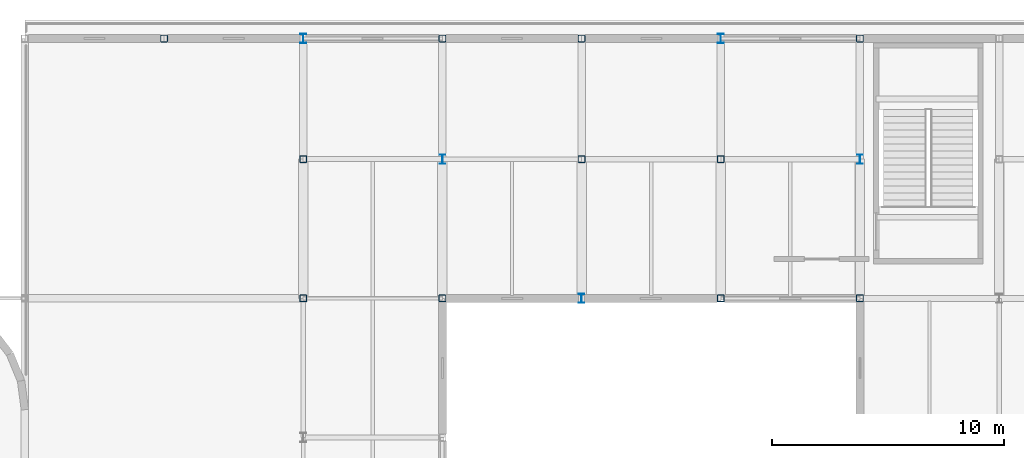
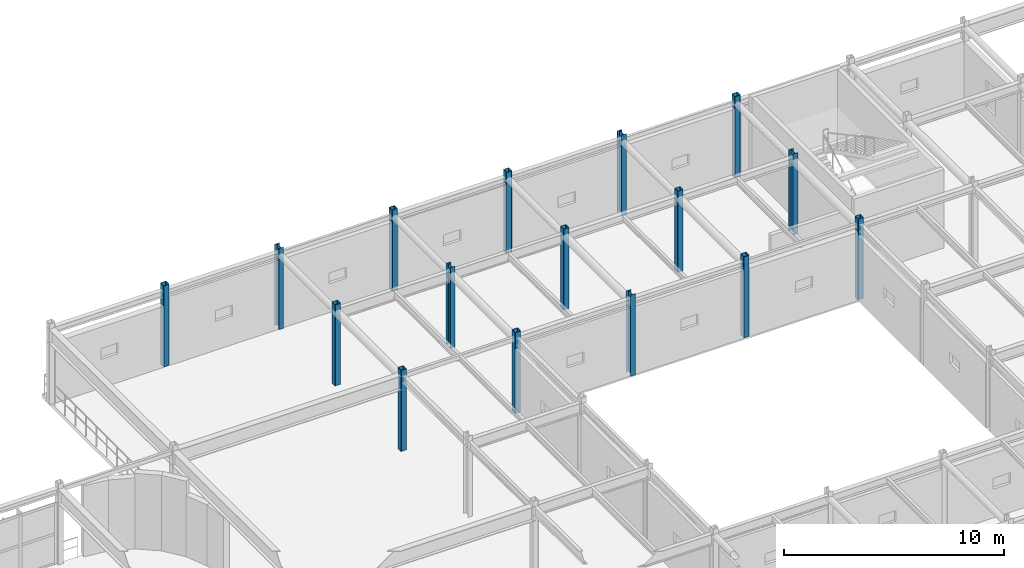
# One storey, part 18 of 96: 16 columns.
"""IFC4 building model written with IfcOpenShell, lengths in metres."""

from ifc_helpers import new_model, si_unit, direction, frame, origin, origin_2d, place, context, subcontext, project, spatial, hollow_rectangle, i_section, extrude, material, material_profile, profile_set, type_object, element, save


model = new_model("IFC4")

# Units and contexts
model_context = context("Model", 3, precision=1e-05, world=origin(), true_north=direction((0.0, 1.0)))
body_context = subcontext(model_context, "Body", "Model", "MODEL_VIEW")
ifc_project = project(units=[si_unit("LENGTHUNIT", "METRE"), si_unit("AREAUNIT", "SQUARE_METRE"), si_unit("VOLUMEUNIT", "CUBIC_METRE"), si_unit("PLANEANGLEUNIT", "RADIAN"), si_unit("MASSUNIT", "GRAM", prefix="KILO")], contexts=[model_context])

# Site, building, storey
site_placement = place(None, origin())
site = spatial("IfcSite", under=ifc_project, at=site_placement, CompositionType="ELEMENT")
building_placement = place(site_placement, origin())
building = spatial("IfcBuilding", under=site, at=building_placement, Name="Varnakota Square Police Headquarters", CompositionType="ELEMENT")
storey_placement = place(building_placement, frame((0.0, 0.0, 4.800048828125)))
storey = spatial("IfcBuildingStorey", under=building, at=storey_placement, Name="L01", CompositionType="ELEMENT", Elevation=4.800048828125)

# Columns
ifc_material = material(Name="Steel IS 2062 Grade 350", Category="steel")
ifc_material_profile_1 = material_profile(ifc_material, i_section(OverallWidth=0.25, OverallDepth=0.39990234375, WebThickness=0.010498046875, FlangeThickness=0.0126953125, FilletRadius=0.013916015625, at=origin_2d()), Name="ISHB 400")
ifc_profile_set_1 = profile_set([ifc_material_profile_1], Name="Steel IS 2062 Grade 350")
column_type_1 = type_object("IfcColumnType", Name="COL-ISHB400", PredefinedType="COLUMN", material=ifc_profile_set_1)
for number, where, z_axis, x_axis, name in (
    (1, (108.0, 110.199951171875, 0.0), (0.0, 0.0, 1.0), (1.0, 0.0, 0.0), "Column X1080-Y1102 L01"),
    (2, (114.0, 105.0, 0.0), (0.0, 0.0, 1.0), (1.0, 0.0, 0.0), "Column X1140-Y1050 L01"),
    (3, (120.0, 99.0, 0.0), (0.0, 0.0, 1.0), (1.0, 0.0, 0.0), "Column X1200-Y0990 L01"),
    (4, (126.0, 110.199951171875, 0.0), (0.0, 0.0, 1.0), (1.0, 0.0, 0.0), "Column X1260-Y1102 L01"),
    (5, (132.0, 105.0, 0.0), (0.0, 0.0, 1.0), (1.0, 0.0, 0.0), "Column X1320-Y1050 L01"),
):
    element("IfcColumn", number, at=place(storey_placement, frame(where, z_axis=z_axis, x_axis=x_axis)), inside=storey, type_object=column_type_1, Name=name, PredefinedType="COLUMN", context=body_context, shape_type="SweptSolid", body=[
        extrude(i_section(OverallWidth=0.25, OverallDepth=0.39990234375, WebThickness=0.010498046875, FlangeThickness=0.0126953125, FilletRadius=0.013916015625, at=origin_2d()), origin(), (0.0, 0.0, 1.0), 4.5),
    ])
ifc_material_profile_2 = material_profile(ifc_material, hollow_rectangle(XDim=0.300048828125, YDim=0.300048828125, WallThickness=0.01611328125, InnerFilletRadius=0.01611328125, OuterFilletRadius=0.031982421875, at=origin_2d()), Name="SHS 300x300x16")
ifc_profile_set_2 = profile_set([ifc_material_profile_2], Name="Steel IS 2062 Grade 350")
column_type_2 = type_object("IfcColumnType", Name="COL-SHS300", PredefinedType="COLUMN", material=ifc_profile_set_2)
for number, where, z_axis, x_axis, name in (
    (6, (102.0, 110.199951171875, 0.0), (0.0, 0.0, 1.0), (1.0, 0.0, 0.0), "Column X1020-Y1102 L01"),
    (7, (108.0, 99.0, 0.0), (0.0, 0.0, 1.0), (1.0, 0.0, 0.0), "Column X1080-Y0990 L01"),
    (8, (108.0, 105.0, 0.0), (0.0, 0.0, 1.0), (1.0, 0.0, 0.0), "Column X1080-Y1050 L01"),
    (9, (114.0, 99.0, 0.0), (0.0, 0.0, 1.0), (1.0, 0.0, 0.0), "Column X1140-Y0990 L01"),
    (10, (114.0, 110.199951171875, 0.0), (0.0, 0.0, 1.0), (1.0, 0.0, 0.0), "Column X1140-Y1102 L01"),
    (11, (120.0, 105.0, 0.0), (0.0, 0.0, 1.0), (1.0, 0.0, 0.0), "Column X1200-Y1050 L01"),
    (12, (120.0, 110.199951171875, 0.0), (0.0, 0.0, 1.0), (1.0, 0.0, 0.0), "Column X1200-Y1102 L01"),
    (13, (126.0, 99.0, 0.0), (0.0, 0.0, 1.0), (1.0, 0.0, 0.0), "Column X1260-Y0990 L01"),
    (14, (126.0, 105.0, 0.0), (0.0, 0.0, 1.0), (1.0, 0.0, 0.0), "Column X1260-Y1050 L01"),
    (15, (132.0, 99.0, 0.0), (0.0, 0.0, 1.0), (1.0, 0.0, 0.0), "Column X1320-Y0990 L01"),
    (16, (132.0, 110.199951171875, 0.0), (0.0, 0.0, 1.0), (1.0, 0.0, 0.0), "Column X1320-Y1102 L01"),
):
    element("IfcColumn", number, at=place(storey_placement, frame(where, z_axis=z_axis, x_axis=x_axis)), inside=storey, type_object=column_type_2, Name=name, PredefinedType="COLUMN", context=body_context, shape_type="SweptSolid", body=[
        extrude(hollow_rectangle(XDim=0.300048828125, YDim=0.300048828125, WallThickness=0.01611328125, InnerFilletRadius=0.01611328125, OuterFilletRadius=0.031982421875, at=origin_2d()), origin(), (0.0, 0.0, 1.0), 4.5),
    ])

save(model, "model.ifc")
